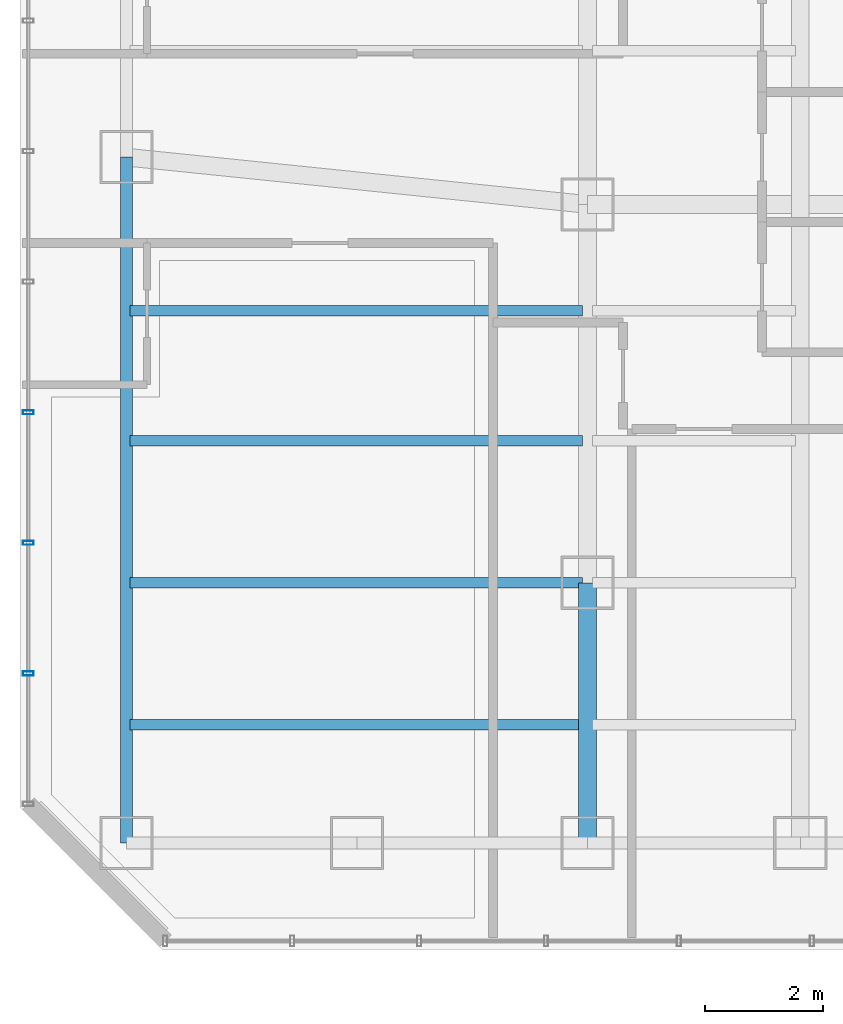
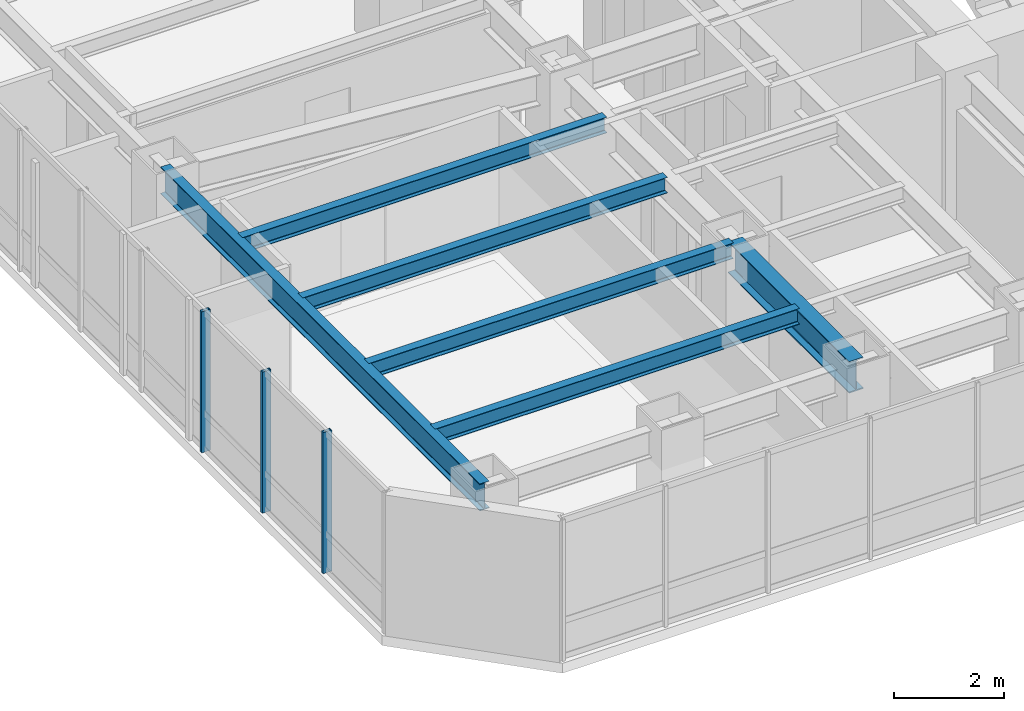
# One storey, part 7 of 36: 6 beams, 3 members, 1 element without a shape of its own.
"""IFC4 building model written with IfcOpenShell, lengths in metres."""

import ifcopenshell
import ifcopenshell.guid

model = None  # the IFC model being written
_history = None  # IfcOwnerHistory: only IFC2X3 demands one
_inside = {}  # id of a spatial element -> (the spatial element, [elements in it])
_under = {}  # id of a project, library or spatial element -> (it, [spatial elements below it])
_declared = {}  # id of a project -> (the project, [libraries it declares])
_typed = {}  # id of a type object -> (the type object, [elements of that type])
_made_of = {}  # id of a material, layer set ... -> (it, [elements and type objects made of it])


def new_model(schema):
    """Start an empty IFC model of exactly this schema.

    Asked for "IFC4X3", IfcOpenShell would pick the latest addendum, in which some entities
    have other attributes; the version numbers below select the first issue.
    IFC2X3 requires an IfcOwnerHistory on every rooted entity: one is made here for all.
    """
    global model, _history
    if schema == "IFC4X3":
        model = ifcopenshell.file(schema_version=(4, 3, 0, 0))
    else:
        model = ifcopenshell.file(schema=schema)
    _inside.clear()
    _under.clear()
    _declared.clear()
    _typed.clear()
    _made_of.clear()
    _history = None
    if model.schema == "IFC2X3":
        org = make("IfcOrganization", Name="unknown")
        user = make(
            "IfcPersonAndOrganization",
            ThePerson=make("IfcPerson", FamilyName="unknown"),
            TheOrganization=org,
        )
        app = make(
            "IfcApplication",
            ApplicationDeveloper=org,
            Version="unknown",
            ApplicationFullName="unknown",
            ApplicationIdentifier="unknown",
        )
        _history = make(
            "IfcOwnerHistory",
            OwningUser=user,
            OwningApplication=app,
            ChangeAction="ADDED",
            CreationDate=0,
        )
    return model


def make(cls, **values):
    """One entity of the class cls with the attributes given. An attribute that is None is left unset."""
    return model.create_entity(
        cls, **{name: value for name, value in values.items() if value is not None}
    )


def rooted(cls, **values):
    """An entity with a GlobalId (a new one), such as an element, a storey or a relation."""
    return make(cls, GlobalId=ifcopenshell.guid.new(), OwnerHistory=_history, **values)


def si_unit(unit_type, name, prefix=None):
    """IfcSIUnit, for example si_unit("LENGTHUNIT", "METRE", prefix="MILLI")."""
    return make("IfcSIUnit", UnitType=unit_type, Prefix=prefix, Name=name)


def assignment(units):
    """IfcUnitAssignment: the units of a project."""
    return None if units is None else make("IfcUnitAssignment", Units=units)


def point(xyz):
    """IfcCartesianPoint."""
    return None if xyz is None else make("IfcCartesianPoint", Coordinates=xyz)


def direction(xyz):
    """IfcDirection."""
    return None if xyz is None else make("IfcDirection", DirectionRatios=xyz)


def frame(location, z_axis=None, x_axis=None):
    """IfcAxis2Placement3D, a coordinate frame: its origin and axes. An axis left out is left unset."""
    return make(
        "IfcAxis2Placement3D",
        Location=point(location),
        Axis=direction(z_axis),
        RefDirection=direction(x_axis),
    )


def frame_2d(location, x_axis=None):
    """IfcAxis2Placement2D, a coordinate frame in the plane: its origin and x axis."""
    return make(
        "IfcAxis2Placement2D", Location=point(location), RefDirection=direction(x_axis)
    )


def origin():
    """The frame at (0, 0, 0) with its axes left unset."""
    return frame((0.0, 0.0, 0.0))


def origin_2d():
    """The frame at (0, 0) in the plane with its x axis left unset."""
    return frame_2d((0.0, 0.0))


def place(relative_to, where):
    """IfcLocalPlacement: puts the frame where relative to a parent placement (None: the world)."""
    return make(
        "IfcLocalPlacement", PlacementRelTo=relative_to, RelativePlacement=where
    )


def context(
    kind, dimensions, precision=None, world=None, true_north=None, identifier=None
):
    """IfcGeometricRepresentationContext, for example the 3D "Model" context."""
    return make(
        "IfcGeometricRepresentationContext",
        ContextIdentifier=identifier,
        ContextType=kind,
        CoordinateSpaceDimension=dimensions,
        Precision=precision,
        WorldCoordinateSystem=world,
        TrueNorth=true_north,
    )


def subcontext(parent, identifier, kind, view, scale=None):
    """IfcGeometricRepresentationSubContext, for example "Body" below "Model"."""
    return make(
        "IfcGeometricRepresentationSubContext",
        ContextIdentifier=identifier,
        ContextType=kind,
        ParentContext=parent,
        TargetScale=scale,
        TargetView=view,
    )


def project(units=None, contexts=None):
    """IfcProject with its units and contexts."""
    return rooted(
        "IfcProject",
        Name="project",
        RepresentationContexts=contexts,
        UnitsInContext=assignment(units),
    )


def spatial(cls, under=None, at=None, **own):
    """A site, building, storey or space (cls), placed at a placement, below another one or the project."""
    s = rooted(cls, ObjectPlacement=at, **own)
    if under is not None:
        _under.setdefault(under.id(), (under, []))[1].append(s)
    return s


def profile(cls, at=None, kind="AREA", **sizes):
    """A parametric profile (cls). Its sizes go by their IFC names, for example OverallWidth=200.0."""
    return make(cls, ProfileType=kind, Position=at, **sizes)


def hollow_rectangle(**sizes):
    """IfcRectangleHollowProfileDef."""
    return profile("IfcRectangleHollowProfileDef", **sizes)


def i_section(**sizes):
    """IfcIShapeProfileDef."""
    return profile("IfcIShapeProfileDef", **sizes)


def extrude(swept, where, along, depth):
    """IfcExtrudedAreaSolid: the profile swept, set in the frame where, extruded along a direction by depth."""
    return make(
        "IfcExtrudedAreaSolid",
        SweptArea=swept,
        Position=where,
        ExtrudedDirection=direction(along),
        Depth=depth,
    )


def shape(context_of_items, identifier, shape_type, items):
    """IfcShapeRepresentation: the items that make up one representation, for example the "Body"."""
    return make(
        "IfcShapeRepresentation",
        ContextOfItems=context_of_items,
        RepresentationIdentifier=identifier,
        RepresentationType=shape_type,
        Items=items,
    )


def material(Name=None, Category=None):
    """IfcMaterial."""
    return make("IfcMaterial", Name=Name, Category=Category)


def layer(
    of_material, thickness, ventilated=None, Name=None, Category=None, Priority=None
):
    """IfcMaterialLayer: one layer of a wall or slab, of a material (None: an air gap)."""
    return make(
        "IfcMaterialLayer",
        Material=of_material,
        LayerThickness=thickness,
        IsVentilated=ventilated,
        Name=Name,
        Category=Category,
        Priority=Priority,
    )


def layer_set(layers, Name=None):
    """IfcMaterialLayerSet."""
    return make("IfcMaterialLayerSet", MaterialLayers=layers, LayerSetName=Name)


def material_profile(
    of_material, cross_section, Name=None, Category=None, Priority=None
):
    """IfcMaterialProfile: a cross section and its material."""
    return make(
        "IfcMaterialProfile",
        Name=Name,
        Material=of_material,
        Profile=cross_section,
        Priority=Priority,
        Category=Category,
    )


def profile_set(profiles, Name=None, composite=None):
    """IfcMaterialProfileSet."""
    return make(
        "IfcMaterialProfileSet",
        Name=Name,
        MaterialProfiles=profiles,
        CompositeProfile=composite,
    )


def made_of(thing, what):
    """Note that an element or type object is made of a material, layer set ...; save() writes the relation."""
    if what is not None:
        _made_of.setdefault(what.id(), (what, []))[1].append(thing)
    return thing


def type_object(cls, material=None, **own):
    """A type object (cls), such as IfcWallType, which elements share."""
    return made_of(rooted(cls, **own), material)


def element(
    cls,
    number,
    at=None,
    inside=None,
    cuts=None,
    type_object=None,
    material=None,
    context=None,
    identifier="Body",
    shape_type=None,
    held_by="IfcProductDefinitionShape",
    body=None,
    shapes=None,
    **own,
):
    """One element of the class cls, such as IfcWall. Its Tag is "e" and its number.

    at: its placement. inside: the storey or other place that contains it. cuts: it is an
    opening in that element (IfcRelVoidsElement). A single representation is given by context,
    identifier, shape_type and body (its items); several are given by shapes. held_by: the class
    of the entity that holds the representations. save() writes the other relations.
    """
    e = rooted(cls, Tag="e%d" % number, ObjectPlacement=at, **own)
    if body is not None:
        shapes = [shape(context, identifier, shape_type, body)]
    if shapes is not None:
        e.Representation = make(held_by, Representations=shapes)
    if inside is not None:
        _inside.setdefault(inside.id(), (inside, []))[1].append(e)
    if cuts is not None:
        rooted(
            "IfcRelVoidsElement", RelatingBuildingElement=cuts, RelatedOpeningElement=e
        )
    if type_object is not None:
        _typed.setdefault(type_object.id(), (type_object, []))[1].append(e)
    return made_of(e, material)


def aggregate(whole, parts):
    """IfcRelAggregates: a whole, such as a stair, and the parts it consists of."""
    return rooted("IfcRelAggregates", RelatingObject=whole, RelatedObjects=parts)


def save(model, path):
    """Write the relations noted so far, then the file.

    IfcRelAggregates (storeys below a building ...), IfcRelContainedInSpatialStructure (elements
    in a storey), IfcRelDefinesByType, IfcRelAssociatesMaterial and IfcRelDeclares: one each for
    every whole, place, type object, material and project.
    """
    for whole, parts in _under.values():
        aggregate(whole, parts)
    for where, things in _inside.values():
        rooted(
            "IfcRelContainedInSpatialStructure",
            RelatedElements=things,
            RelatingStructure=where,
        )
    for kind, things in _typed.values():
        rooted("IfcRelDefinesByType", RelatedObjects=things, RelatingType=kind)
    for what, things in _made_of.values():
        rooted("IfcRelAssociatesMaterial", RelatedObjects=things, RelatingMaterial=what)
    for by, libraries in _declared.values():
        rooted("IfcRelDeclares", RelatingContext=by, RelatedDefinitions=libraries)
    model.write(path)


model = new_model("IFC4")

# Units and contexts
model_context = context("Model", 3, precision=1e-05, world=origin(), true_north=direction((0.0, 1.0)))
body_context = subcontext(model_context, "Body", "Model", "MODEL_VIEW")
ifc_project = project(units=[si_unit("LENGTHUNIT", "METRE"), si_unit("AREAUNIT", "SQUARE_METRE"), si_unit("VOLUMEUNIT", "CUBIC_METRE"), si_unit("PLANEANGLEUNIT", "RADIAN"), si_unit("MASSUNIT", "GRAM", prefix="KILO")], contexts=[model_context])

# Site, building, storey
site_placement = place(None, origin())
site = spatial("IfcSite", under=ifc_project, at=site_placement, CompositionType="ELEMENT")
building_placement = place(site_placement, origin())
building = spatial("IfcBuilding", under=site, at=building_placement, Name="Hatsunagi Terrace Concourse", CompositionType="ELEMENT")
storey_placement = place(building_placement, frame((0.0, 0.0, 84.64990234375)))
storey = spatial("IfcBuildingStorey", under=building, at=storey_placement, Name="L22", CompositionType="ELEMENT", Elevation=84.64990234375)

# Curtain wall, members
ifc_material_1 = material(Name="Anodised Aluminium Alloy 6063-T5", Category="aluminium")
ifc_layer = layer(ifc_material_1, 0.199951171875)
ifc_layer_set = layer_set([ifc_layer], Name="HotelFacade_CW02")
curtain_wall_type = type_object("IfcCurtainWallType", Name="HotelFacade_CW02", PredefinedType="NOTDEFINED", material=ifc_layer_set)
curtain_wall_placement = place(storey_placement, origin())
curtain_wall = element("IfcCurtainWall", 1, at=curtain_wall_placement, inside=storey, type_object=curtain_wall_type, Name="Unitised Curtain Wall CW-02 CW-L22-09", PredefinedType="NOTDEFINED")
ifc_material_2 = material(Name="Anodised Aluminium Alloy 6063-T5", Category="aluminium")
ifc_material_profile_1 = material_profile(ifc_material_2, hollow_rectangle(XDim=0.070068359375, YDim=0.179931640625, WallThickness=0.00390625, at=origin_2d()), Name="ALU-MUL-180x70x4")
ifc_profile_set_1 = profile_set([ifc_material_profile_1], Name="Anodised Aluminium Alloy 6063-T5")
member_type = type_object("IfcMemberType", Name="CurtainWallMullion_180x70", PredefinedType="MULLION", material=ifc_profile_set_1)
member_1_placement = place(storey_placement, frame((9.739990234375, 28.06591796875, 0.0), z_axis=(0.0, 0.0, 1.0), x_axis=(0.0, 1.0, 0.0)))
member_1 = element("IfcMember", 2, at=member_1_placement, type_object=member_type, Name="Curtain Wall Mullion MUL-02", PredefinedType="MULLION", context=body_context, shape_type="SweptSolid", body=[
    extrude(hollow_rectangle(XDim=0.070068359375, YDim=0.179931640625, WallThickness=0.00390625, at=origin_2d()), origin(), (0.0, 0.0, 1.0), 3.130126953125),
])
member_2_placement = place(storey_placement, frame((9.739990234375, 30.27490234375, 0.0), z_axis=(0.0, 0.0, 1.0), x_axis=(0.0, 1.0, 0.0)))
member_2 = element("IfcMember", 3, at=member_2_placement, type_object=member_type, Name="Curtain Wall Mullion MUL-02", PredefinedType="MULLION", context=body_context, shape_type="SweptSolid", body=[
    extrude(hollow_rectangle(XDim=0.070068359375, YDim=0.179931640625, WallThickness=0.00390625, at=origin_2d()), origin(), (0.0, 0.0, 1.0), 3.130126953125),
])
member_3_placement = place(storey_placement, frame((9.739990234375, 32.48291015625, 0.0), z_axis=(0.0, 0.0, 1.0), x_axis=(0.0, 1.0, 0.0)))
member_3 = element("IfcMember", 4, at=member_3_placement, type_object=member_type, Name="Curtain Wall Mullion MUL-02", PredefinedType="MULLION", context=body_context, shape_type="SweptSolid", body=[
    extrude(hollow_rectangle(XDim=0.070068359375, YDim=0.179931640625, WallThickness=0.00390625, at=origin_2d()), origin(), (0.0, 0.0, 1.0), 3.130126953125),
])
aggregate(curtain_wall, [member_1, member_2, member_3])

# Beams
ifc_material_3 = material(Name="Steel SN490B", Category="steel")
ifc_material_profile_2 = material_profile(ifc_material_3, i_section(OverallWidth=0.300048828125, OverallDepth=0.699951171875, WebThickness=0.012939453125, FlangeThickness=0.02392578125, FilletRadius=0.02197265625, at=origin_2d()), Name="H-700x300x13x24")
ifc_profile_set_2 = profile_set([ifc_material_profile_2], Name="Steel SN490B")
beam_type_1 = type_object("IfcBeamType", Name="HotelFloorGirder_H_700x300", PredefinedType="BEAM", material=ifc_profile_set_2)
beam_1_placement = place(storey_placement, frame((19.199951171875, 25.199951171875, 2.780029296875), z_axis=(0.0, 1.0, 0.0), x_axis=(-1.0, 0.0, 0.0)))
element("IfcBeam", 5, at=beam_1_placement, inside=storey, type_object=beam_type_1, Name="Beam G-04 BM-L22-NS-19-25", PredefinedType="BEAM", context=body_context, shape_type="SweptSolid", body=[
    extrude(i_section(OverallWidth=0.300048828125, OverallDepth=0.699951171875, WebThickness=0.012939453125, FlangeThickness=0.02392578125, FilletRadius=0.02197265625, at=origin_2d()), origin(), (0.0, 0.0, 1.0), 4.400146484375),
])
ifc_material_4 = material(Name="Steel SN490B", Category="steel")
ifc_material_profile_3 = material_profile(ifc_material_4, i_section(OverallWidth=0.175048828125, OverallDepth=0.35009765625, WebThickness=0.007080078125, FlangeThickness=0.010986328125, FilletRadius=0.012939453125, at=origin_2d()), Name="H-350x175x7x11")
ifc_profile_set_3 = profile_set([ifc_material_profile_3], Name="Steel SN490B")
beam_type_2 = type_object("IfcBeamType", Name="HotelJoist_H_350x175", PredefinedType="JOIST", material=ifc_profile_set_3)
for number, where, z_axis, x_axis, name in (
    (6, (11.465087890625, 27.199951171875, 2.955078125), (1.0, 0.0, 0.0), (0.0, 1.0, 0.0), "Beam J-02 J-L22-W-11-272"),
    (7, (11.465087890625, 29.60009765625, 2.955078125), (1.0, 0.0, 0.0), (0.0, 1.0, 0.0), "Beam J-02 J-L22-W-11-296"),
    (8, (11.465087890625, 32.0, 2.955078125), (1.0, 0.0, 0.0), (0.0, 1.0, 0.0), "Beam J-02 J-L22-W-11-320"),
    (9, (11.465087890625, 34.199951171875, 2.955078125), (1.0, 0.0, 0.0), (0.0, 1.0, 0.0), "Beam J-02 J-L22-W-11-342"),
):
    element("IfcBeam", number, at=place(storey_placement, frame(where, z_axis=z_axis, x_axis=x_axis)), inside=storey, type_object=beam_type_2, Name=name, PredefinedType="JOIST", context=body_context, shape_type="SweptSolid", body=[
        extrude(i_section(OverallWidth=0.175048828125, OverallDepth=0.35009765625, WebThickness=0.007080078125, FlangeThickness=0.010986328125, FilletRadius=0.012939453125, at=origin_2d()), origin(), (0.0, 0.0, 1.0), 7.64990234375),
    ])
ifc_material_5 = material(Name="Steel SN490B", Category="steel")
ifc_material_profile_4 = material_profile(ifc_material_5, i_section(OverallWidth=0.199951171875, OverallDepth=0.60009765625, WebThickness=0.010986328125, FlangeThickness=0.01708984375, FilletRadius=0.01806640625, at=origin_2d()), Name="H-600x200x11x17")
ifc_profile_set_4 = profile_set([ifc_material_profile_4], Name="Steel SN490B")
beam_type_3 = type_object("IfcBeamType", Name="PerimeterSpandrel_H_600x200", PredefinedType="SPANDREL", material=ifc_profile_set_4)
beam_2_placement = place(storey_placement, frame((11.39990234375, 25.199951171875, 2.830078125), z_axis=(0.0, 1.0, 0.0), x_axis=(-1.0, 0.0, 0.0)))
element("IfcBeam", 10, at=beam_2_placement, inside=storey, type_object=beam_type_3, Name="Beam SP-01 BM-L22-NS-11-25", PredefinedType="SPANDREL", context=body_context, shape_type="SweptSolid", body=[
    extrude(i_section(OverallWidth=0.199951171875, OverallDepth=0.60009765625, WebThickness=0.010986328125, FlangeThickness=0.01708984375, FilletRadius=0.01806640625, at=origin_2d()), origin(), (0.0, 0.0, 1.0), 11.60009765625),
])

save(model, "model.ifc")
